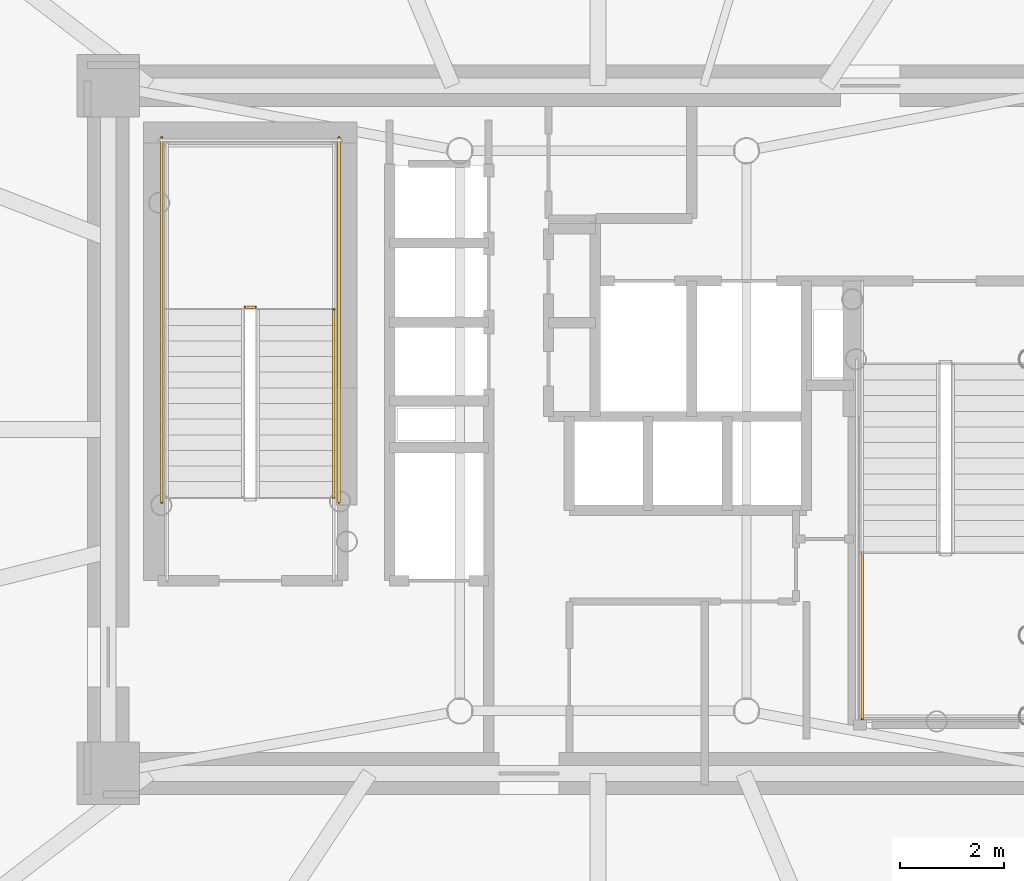
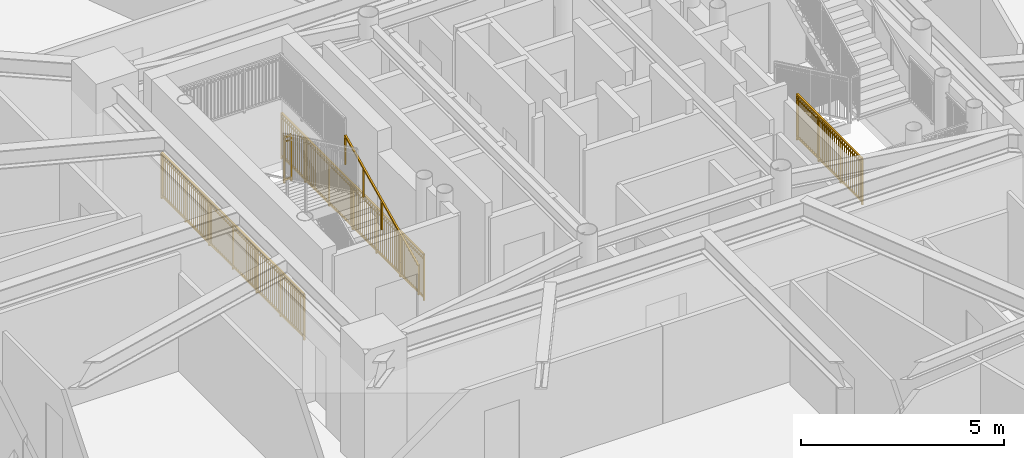
# One storey, part 13 of 18: 5 railings.
"""IFC4 building model written with IfcOpenShell, lengths in metres."""

from ifc_helpers import new_model, si_unit, direction, frame, origin, origin_2d, place, context, subcontext, project, spatial, rectangle, extrude, source, transform, mapped, material, type_object, element, save


model = new_model("IFC4")

# Units and contexts
model_context = context("Model", 3, precision=1e-05, world=origin(), true_north=direction((0.0, 1.0)))
body_context = subcontext(model_context, "Body", "Model", "MODEL_VIEW")
ifc_project = project(units=[si_unit("LENGTHUNIT", "METRE"), si_unit("AREAUNIT", "SQUARE_METRE"), si_unit("VOLUMEUNIT", "CUBIC_METRE"), si_unit("PLANEANGLEUNIT", "RADIAN"), si_unit("MASSUNIT", "GRAM", prefix="KILO")], contexts=[model_context])

# Site, building, storey
site_placement = place(None, origin())
site = spatial("IfcSite", under=ifc_project, at=site_placement, CompositionType="ELEMENT")
building_placement = place(site_placement, origin())
building = spatial("IfcBuilding", under=site, at=building_placement, Name="Linh Dai School and Residence Tower", CompositionType="ELEMENT")
storey_placement = place(building_placement, frame((0.0, 0.0, 186.14990234375)))
storey = spatial("IfcBuildingStorey", under=building, at=storey_placement, Name="L45", CompositionType="ELEMENT", Elevation=186.14990234375)

# Railings
ifc_material_1 = material(Name="Structural Steel S355JR", Category="steel")
railing_type_1 = type_object("IfcRailingType", Name="RL-ST-GUARD-1400", PredefinedType="GUARDRAIL", material=ifc_material_1)
shared_shape_1 = source(origin(), body_context, "Body", "SweptSolid", [
    extrude(rectangle(XDim=0.048095703125, YDim=0.048095703125, at=origin_2d()), frame((0.0, 0.0, 1.3759765625), z_axis=(-1.0, 0.0, 0.0), x_axis=(0.0, -1.0, 0.0)), (0.0, 0.0, 1.0), 0.199951171875),
    extrude(rectangle(XDim=0.048095703125, YDim=0.048095703125, at=origin_2d()), frame((0.0, 0.0, 0.10009765625), z_axis=(-1.0, 0.0, 0.0), x_axis=(0.0, -1.0, 0.0)), (0.0, 0.0, 1.0), 0.199951171875),
    extrude(rectangle(XDim=0.030029296875, YDim=0.030029296875, at=origin_2d()), frame((0.0, 0.0, 1.239990234375), z_axis=(-1.0, 0.0, 0.0), x_axis=(0.0, -1.0, 0.0)), (0.0, 0.0, 1.0), 0.199951171875),
    extrude(rectangle(XDim=0.0419921875, YDim=0.0419921875, at=origin_2d()), origin(), (0.0, 0.0, 1.0), 1.3759765625),
    extrude(rectangle(XDim=0.0419921875, YDim=0.0419921875, at=origin_2d()), frame((-0.199951171875, 0.0, 0.0)), (0.0, 0.0, 1.0), 1.3759765625),
])
railing_1_placement = place(storey_placement, frame((29.429931640625, 29.35009765625, 1.875)))
element("IfcRailing", 1, at=railing_1_placement, inside=storey, type_object=railing_type_1, Name="L45 ST1 stair guard 2", PredefinedType="GUARDRAIL", context=body_context, shape_type="MappedRepresentation", body=[
    mapped(shared_shape_1, transform((0.0, 0.0, 0.0), x_axis=(1.0, 0.0, 0.0), y_axis=(0.0, 1.0, 0.0), z_axis=(0.0, 0.0, 1.0), scale=1.0)),
])
shared_shape_2 = source(origin(), body_context, "Body", "SweptSolid", [
    extrude(rectangle(XDim=0.048095703125, YDim=0.048095703125, at=origin_2d()), frame((0.0, 0.0, 1.3759765625), z_axis=(0.0, 1.0, 0.0), x_axis=(-1.0, 0.0, 0.0)), (0.0, 0.0, 1.0), 7.0),
    extrude(rectangle(XDim=0.048095703125, YDim=0.048095703125, at=origin_2d()), frame((0.0, 0.0, 0.10009765625), z_axis=(0.0, 1.0, 0.0), x_axis=(-1.0, 0.0, 0.0)), (0.0, 0.0, 1.0), 7.0),
    extrude(rectangle(XDim=0.030029296875, YDim=0.030029296875, at=origin_2d()), frame((0.0, 0.0, 1.239990234375), z_axis=(0.0, 1.0, 0.0), x_axis=(-1.0, 0.0, 0.0)), (0.0, 0.0, 1.0), 7.0),
    extrude(rectangle(XDim=0.02001953125, YDim=0.02001953125, at=origin_2d()), frame((0.0, 0.09716796875, 0.10009765625)), (0.0, 0.0, 1.0), 1.251708984375),
    extrude(rectangle(XDim=0.02001953125, YDim=0.02001953125, at=origin_2d()), frame((0.0, 0.1943359375, 0.10009765625)), (0.0, 0.0, 1.0), 1.251708984375),
    extrude(rectangle(XDim=0.02001953125, YDim=0.02001953125, at=origin_2d()), frame((0.0, 0.291748046875, 0.10009765625)), (0.0, 0.0, 1.0), 1.251708984375),
    extrude(rectangle(XDim=0.02001953125, YDim=0.02001953125, at=origin_2d()), frame((0.0, 0.388916015625, 0.10009765625)), (0.0, 0.0, 1.0), 1.251708984375),
    extrude(rectangle(XDim=0.02001953125, YDim=0.02001953125, at=origin_2d()), frame((0.0, 0.486083984375, 0.10009765625)), (0.0, 0.0, 1.0), 1.251708984375),
    extrude(rectangle(XDim=0.02001953125, YDim=0.02001953125, at=origin_2d()), frame((0.0, 0.583251953125, 0.10009765625)), (0.0, 0.0, 1.0), 1.251708984375),
    extrude(rectangle(XDim=0.02001953125, YDim=0.02001953125, at=origin_2d()), frame((0.0, 0.6806640625, 0.10009765625)), (0.0, 0.0, 1.0), 1.251708984375),
    extrude(rectangle(XDim=0.02001953125, YDim=0.02001953125, at=origin_2d()), frame((0.0, 0.77783203125, 0.10009765625)), (0.0, 0.0, 1.0), 1.251708984375),
    extrude(rectangle(XDim=0.02001953125, YDim=0.02001953125, at=origin_2d()), frame((0.0, 0.875, 0.10009765625)), (0.0, 0.0, 1.0), 1.251708984375),
    extrude(rectangle(XDim=0.02001953125, YDim=0.02001953125, at=origin_2d()), frame((0.0, 0.97216796875, 0.10009765625)), (0.0, 0.0, 1.0), 1.251708984375),
    extrude(rectangle(XDim=0.02001953125, YDim=0.02001953125, at=origin_2d()), frame((0.0, 1.0693359375, 0.10009765625)), (0.0, 0.0, 1.0), 1.251708984375),
    extrude(rectangle(XDim=0.02001953125, YDim=0.02001953125, at=origin_2d()), frame((0.0, 1.263916015625, 0.10009765625)), (0.0, 0.0, 1.0), 1.251708984375),
    extrude(rectangle(XDim=0.02001953125, YDim=0.02001953125, at=origin_2d()), frame((0.0, 1.361083984375, 0.10009765625)), (0.0, 0.0, 1.0), 1.251708984375),
    extrude(rectangle(XDim=0.02001953125, YDim=0.02001953125, at=origin_2d()), frame((0.0, 1.458251953125, 0.10009765625)), (0.0, 0.0, 1.0), 1.251708984375),
    extrude(rectangle(XDim=0.02001953125, YDim=0.02001953125, at=origin_2d()), frame((0.0, 1.5556640625, 0.10009765625)), (0.0, 0.0, 1.0), 1.251708984375),
    extrude(rectangle(XDim=0.02001953125, YDim=0.02001953125, at=origin_2d()), frame((0.0, 1.65283203125, 0.10009765625)), (0.0, 0.0, 1.0), 1.251708984375),
    extrude(rectangle(XDim=0.02001953125, YDim=0.02001953125, at=origin_2d()), frame((0.0, 1.75, 0.10009765625)), (0.0, 0.0, 1.0), 1.251708984375),
    extrude(rectangle(XDim=0.02001953125, YDim=0.02001953125, at=origin_2d()), frame((0.0, 1.84716796875, 0.10009765625)), (0.0, 0.0, 1.0), 1.251708984375),
    extrude(rectangle(XDim=0.02001953125, YDim=0.02001953125, at=origin_2d()), frame((0.0, 1.9443359375, 0.10009765625)), (0.0, 0.0, 1.0), 1.251708984375),
    extrude(rectangle(XDim=0.02001953125, YDim=0.02001953125, at=origin_2d()), frame((0.0, 2.041748046875, 0.10009765625)), (0.0, 0.0, 1.0), 1.251708984375),
    extrude(rectangle(XDim=0.02001953125, YDim=0.02001953125, at=origin_2d()), frame((0.0, 2.138916015625, 0.10009765625)), (0.0, 0.0, 1.0), 1.251708984375),
    extrude(rectangle(XDim=0.02001953125, YDim=0.02001953125, at=origin_2d()), frame((0.0, 2.236083984375, 0.10009765625)), (0.0, 0.0, 1.0), 1.251708984375),
    extrude(rectangle(XDim=0.02001953125, YDim=0.02001953125, at=origin_2d()), frame((0.0, 2.4306640625, 0.10009765625)), (0.0, 0.0, 1.0), 1.251708984375),
    extrude(rectangle(XDim=0.02001953125, YDim=0.02001953125, at=origin_2d()), frame((0.0, 2.52783203125, 0.10009765625)), (0.0, 0.0, 1.0), 1.251708984375),
    extrude(rectangle(XDim=0.02001953125, YDim=0.02001953125, at=origin_2d()), frame((0.0, 2.625, 0.10009765625)), (0.0, 0.0, 1.0), 1.251708984375),
    extrude(rectangle(XDim=0.02001953125, YDim=0.02001953125, at=origin_2d()), frame((0.0, 2.72216796875, 0.10009765625)), (0.0, 0.0, 1.0), 1.251708984375),
    extrude(rectangle(XDim=0.02001953125, YDim=0.02001953125, at=origin_2d()), frame((0.0, 2.8193359375, 0.10009765625)), (0.0, 0.0, 1.0), 1.251708984375),
    extrude(rectangle(XDim=0.02001953125, YDim=0.02001953125, at=origin_2d()), frame((0.0, 2.916748046875, 0.10009765625)), (0.0, 0.0, 1.0), 1.251708984375),
    extrude(rectangle(XDim=0.02001953125, YDim=0.02001953125, at=origin_2d()), frame((0.0, 3.013916015625, 0.10009765625)), (0.0, 0.0, 1.0), 1.251708984375),
    extrude(rectangle(XDim=0.02001953125, YDim=0.02001953125, at=origin_2d()), frame((0.0, 3.111083984375, 0.10009765625)), (0.0, 0.0, 1.0), 1.251708984375),
    extrude(rectangle(XDim=0.02001953125, YDim=0.02001953125, at=origin_2d()), frame((0.0, 3.208251953125, 0.10009765625)), (0.0, 0.0, 1.0), 1.251708984375),
    extrude(rectangle(XDim=0.02001953125, YDim=0.02001953125, at=origin_2d()), frame((0.0, 3.3056640625, 0.10009765625)), (0.0, 0.0, 1.0), 1.251708984375),
    extrude(rectangle(XDim=0.02001953125, YDim=0.02001953125, at=origin_2d()), frame((0.0, 3.40283203125, 0.10009765625)), (0.0, 0.0, 1.0), 1.251708984375),
    extrude(rectangle(XDim=0.02001953125, YDim=0.02001953125, at=origin_2d()), frame((0.0, 3.59716796875, 0.10009765625)), (0.0, 0.0, 1.0), 1.251708984375),
    extrude(rectangle(XDim=0.02001953125, YDim=0.02001953125, at=origin_2d()), frame((0.0, 3.6943359375, 0.10009765625)), (0.0, 0.0, 1.0), 1.251708984375),
    extrude(rectangle(XDim=0.02001953125, YDim=0.02001953125, at=origin_2d()), frame((0.0, 3.791748046875, 0.10009765625)), (0.0, 0.0, 1.0), 1.251708984375),
    extrude(rectangle(XDim=0.02001953125, YDim=0.02001953125, at=origin_2d()), frame((0.0, 3.888916015625, 0.10009765625)), (0.0, 0.0, 1.0), 1.251708984375),
    extrude(rectangle(XDim=0.02001953125, YDim=0.02001953125, at=origin_2d()), frame((0.0, 3.986083984375, 0.10009765625)), (0.0, 0.0, 1.0), 1.251708984375),
    extrude(rectangle(XDim=0.02001953125, YDim=0.02001953125, at=origin_2d()), frame((0.0, 4.083251953125, 0.10009765625)), (0.0, 0.0, 1.0), 1.251708984375),
    extrude(rectangle(XDim=0.02001953125, YDim=0.02001953125, at=origin_2d()), frame((0.0, 4.1806640625, 0.10009765625)), (0.0, 0.0, 1.0), 1.251708984375),
    extrude(rectangle(XDim=0.02001953125, YDim=0.02001953125, at=origin_2d()), frame((0.0, 4.27783203125, 0.10009765625)), (0.0, 0.0, 1.0), 1.251708984375),
    extrude(rectangle(XDim=0.02001953125, YDim=0.02001953125, at=origin_2d()), frame((0.0, 4.375, 0.10009765625)), (0.0, 0.0, 1.0), 1.251708984375),
    extrude(rectangle(XDim=0.02001953125, YDim=0.02001953125, at=origin_2d()), frame((0.0, 4.47216796875, 0.10009765625)), (0.0, 0.0, 1.0), 1.251708984375),
    extrude(rectangle(XDim=0.02001953125, YDim=0.02001953125, at=origin_2d()), frame((0.0, 4.5693359375, 0.10009765625)), (0.0, 0.0, 1.0), 1.251708984375),
    extrude(rectangle(XDim=0.02001953125, YDim=0.02001953125, at=origin_2d()), frame((0.0, 4.763916015625, 0.10009765625)), (0.0, 0.0, 1.0), 1.251708984375),
    extrude(rectangle(XDim=0.02001953125, YDim=0.02001953125, at=origin_2d()), frame((0.0, 4.861083984375, 0.10009765625)), (0.0, 0.0, 1.0), 1.251708984375),
    extrude(rectangle(XDim=0.02001953125, YDim=0.02001953125, at=origin_2d()), frame((0.0, 4.958251953125, 0.10009765625)), (0.0, 0.0, 1.0), 1.251708984375),
    extrude(rectangle(XDim=0.02001953125, YDim=0.02001953125, at=origin_2d()), frame((0.0, 5.0556640625, 0.10009765625)), (0.0, 0.0, 1.0), 1.251708984375),
    extrude(rectangle(XDim=0.02001953125, YDim=0.02001953125, at=origin_2d()), frame((0.0, 5.15283203125, 0.10009765625)), (0.0, 0.0, 1.0), 1.251708984375),
    extrude(rectangle(XDim=0.02001953125, YDim=0.02001953125, at=origin_2d()), frame((0.0, 5.25, 0.10009765625)), (0.0, 0.0, 1.0), 1.251708984375),
    extrude(rectangle(XDim=0.02001953125, YDim=0.02001953125, at=origin_2d()), frame((0.0, 5.34716796875, 0.10009765625)), (0.0, 0.0, 1.0), 1.251708984375),
    extrude(rectangle(XDim=0.02001953125, YDim=0.02001953125, at=origin_2d()), frame((0.0, 5.4443359375, 0.10009765625)), (0.0, 0.0, 1.0), 1.251708984375),
    extrude(rectangle(XDim=0.02001953125, YDim=0.02001953125, at=origin_2d()), frame((0.0, 5.541748046875, 0.10009765625)), (0.0, 0.0, 1.0), 1.251708984375),
    extrude(rectangle(XDim=0.02001953125, YDim=0.02001953125, at=origin_2d()), frame((0.0, 5.638916015625, 0.10009765625)), (0.0, 0.0, 1.0), 1.251708984375),
    extrude(rectangle(XDim=0.02001953125, YDim=0.02001953125, at=origin_2d()), frame((0.0, 5.736083984375, 0.10009765625)), (0.0, 0.0, 1.0), 1.251708984375),
    extrude(rectangle(XDim=0.02001953125, YDim=0.02001953125, at=origin_2d()), frame((0.0, 5.9306640625, 0.10009765625)), (0.0, 0.0, 1.0), 1.251708984375),
    extrude(rectangle(XDim=0.02001953125, YDim=0.02001953125, at=origin_2d()), frame((0.0, 6.02783203125, 0.10009765625)), (0.0, 0.0, 1.0), 1.251708984375),
    extrude(rectangle(XDim=0.02001953125, YDim=0.02001953125, at=origin_2d()), frame((0.0, 6.125, 0.10009765625)), (0.0, 0.0, 1.0), 1.251708984375),
    extrude(rectangle(XDim=0.02001953125, YDim=0.02001953125, at=origin_2d()), frame((0.0, 6.22216796875, 0.10009765625)), (0.0, 0.0, 1.0), 1.251708984375),
    extrude(rectangle(XDim=0.02001953125, YDim=0.02001953125, at=origin_2d()), frame((0.0, 6.3193359375, 0.10009765625)), (0.0, 0.0, 1.0), 1.251708984375),
    extrude(rectangle(XDim=0.02001953125, YDim=0.02001953125, at=origin_2d()), frame((0.0, 6.416748046875, 0.10009765625)), (0.0, 0.0, 1.0), 1.251708984375),
    extrude(rectangle(XDim=0.02001953125, YDim=0.02001953125, at=origin_2d()), frame((0.0, 6.513916015625, 0.10009765625)), (0.0, 0.0, 1.0), 1.251708984375),
    extrude(rectangle(XDim=0.02001953125, YDim=0.02001953125, at=origin_2d()), frame((0.0, 6.611083984375, 0.10009765625)), (0.0, 0.0, 1.0), 1.251708984375),
    extrude(rectangle(XDim=0.02001953125, YDim=0.02001953125, at=origin_2d()), frame((0.0, 6.708251953125, 0.10009765625)), (0.0, 0.0, 1.0), 1.251708984375),
    extrude(rectangle(XDim=0.02001953125, YDim=0.02001953125, at=origin_2d()), frame((0.0, 6.8056640625, 0.10009765625)), (0.0, 0.0, 1.0), 1.251708984375),
    extrude(rectangle(XDim=0.02001953125, YDim=0.02001953125, at=origin_2d()), frame((0.0, 6.90283203125, 0.10009765625)), (0.0, 0.0, 1.0), 1.251708984375),
    extrude(rectangle(XDim=0.0419921875, YDim=0.0419921875, at=origin_2d()), origin(), (0.0, 0.0, 1.0), 1.3759765625),
    extrude(rectangle(XDim=0.0419921875, YDim=0.0419921875, at=origin_2d()), frame((0.0, 1.166748046875, 0.0)), (0.0, 0.0, 1.0), 1.3759765625),
    extrude(rectangle(XDim=0.0419921875, YDim=0.0419921875, at=origin_2d()), frame((0.0, 2.333251953125, 0.0)), (0.0, 0.0, 1.0), 1.3759765625),
    extrude(rectangle(XDim=0.0419921875, YDim=0.0419921875, at=origin_2d()), frame((0.0, 3.5, 0.0)), (0.0, 0.0, 1.0), 1.3759765625),
    extrude(rectangle(XDim=0.0419921875, YDim=0.0419921875, at=origin_2d()), frame((0.0, 4.666748046875, 0.0)), (0.0, 0.0, 1.0), 1.3759765625),
    extrude(rectangle(XDim=0.0419921875, YDim=0.0419921875, at=origin_2d()), frame((0.0, 5.833251953125, 0.0)), (0.0, 0.0, 1.0), 1.3759765625),
    extrude(rectangle(XDim=0.0419921875, YDim=0.0419921875, at=origin_2d()), frame((0.0, 7.0, 0.0)), (0.0, 0.0, 1.0), 1.3759765625),
])
for number, where, name in (
    (2, (31.030029296875, 25.60009765625, 0.0), "L45 ST1 stair guard 10"),
    (3, (27.6298828125, 25.60009765625, 0.0), "L45 ST1 stair guard 11"),
):
    element("IfcRailing", number, at=place(storey_placement, frame(where)), inside=storey, type_object=railing_type_1, Name=name, PredefinedType="GUARDRAIL", context=body_context, shape_type="MappedRepresentation", body=[
        mapped(shared_shape_2, transform((0.0, 0.0, 0.0), x_axis=(1.0, 0.0, 0.0), y_axis=(0.0, 1.0, 0.0), z_axis=(0.0, 0.0, 1.0), scale=1.0)),
    ])
ifc_material_2 = material(Name="Brushed Stainless Steel Handrail", Category="steel")
railing_type_2 = type_object("IfcRailingType", Name="RL-ST-HANDRAIL-900", PredefinedType="HANDRAIL", material=ifc_material_2)
shared_shape_3 = source(origin(), body_context, "Body", "SweptSolid", [
    extrude(rectangle(XDim=0.048095703125, YDim=0.048095703125, at=origin_2d()), frame((0.0, 0.0, 0.8759765625), z_axis=(0.0, 0.901262522062, 0.433273431364), x_axis=(-1.0, 0.0, 0.0)), (0.0, 0.0, 1.0), 3.994384765625),
    extrude(rectangle(XDim=0.0419921875, YDim=0.0419921875, at=origin_2d()), origin(), (0.0, 0.0, 1.0), 0.8759765625),
    extrude(rectangle(XDim=0.0419921875, YDim=0.0419921875, at=origin_2d()), frame((0.0, 0.89990234375, 0.4326171875)), (0.0, 0.0, 1.0), 0.8759765625),
    extrude(rectangle(XDim=0.0419921875, YDim=0.0419921875, at=origin_2d()), frame((0.0, 1.800048828125, 0.865234375)), (0.0, 0.0, 1.0), 0.8759765625),
    extrude(rectangle(XDim=0.0419921875, YDim=0.0419921875, at=origin_2d()), frame((0.0, 2.7001953125, 1.298095703125)), (0.0, 0.0, 1.0), 0.8759765625),
    extrude(rectangle(XDim=0.0419921875, YDim=0.0419921875, at=origin_2d()), frame((0.0, 3.60009765625, 1.730712890625)), (0.0, 0.0, 1.0), 0.8759765625),
])
railing_2_placement = place(storey_placement, frame((30.929931640625, 25.699951171875, 0.144287109375)))
element("IfcRailing", 4, at=railing_2_placement, inside=storey, type_object=railing_type_2, Name="L45 ST1 stair handrail 1", PredefinedType="HANDRAIL", context=body_context, shape_type="MappedRepresentation", body=[
    mapped(shared_shape_3, transform((0.0, 0.0, 0.0), x_axis=(1.0, 0.0, 0.0), y_axis=(0.0, 1.0, 0.0), z_axis=(0.0, 0.0, 1.0), scale=1.0)),
])
shared_shape_4 = source(origin(), body_context, "Body", "SweptSolid", [
    extrude(rectangle(XDim=0.048095703125, YDim=0.048095703125, at=origin_2d()), frame((0.0, 0.0, 1.3759765625), z_axis=(0.0, -1.0, 0.0), x_axis=(1.0, 0.0, 0.0)), (0.0, 0.0, 1.0), 3.199951171875),
    extrude(rectangle(XDim=0.048095703125, YDim=0.048095703125, at=origin_2d()), frame((0.0, 0.0, 0.10009765625), z_axis=(0.0, -1.0, 0.0), x_axis=(1.0, 0.0, 0.0)), (0.0, 0.0, 1.0), 3.199951171875),
    extrude(rectangle(XDim=0.030029296875, YDim=0.030029296875, at=origin_2d()), frame((0.0, 0.0, 1.239990234375), z_axis=(0.0, -1.0, 0.0), x_axis=(1.0, 0.0, 0.0)), (0.0, 0.0, 1.0), 3.199951171875),
    extrude(rectangle(XDim=0.02001953125, YDim=0.02001953125, at=origin_2d()), frame((0.0, -0.096923828125, 0.10009765625)), (0.0, 0.0, 1.0), 1.251708984375),
    extrude(rectangle(XDim=0.02001953125, YDim=0.02001953125, at=origin_2d()), frame((0.0, -0.19384765625, 0.10009765625)), (0.0, 0.0, 1.0), 1.251708984375),
    extrude(rectangle(XDim=0.02001953125, YDim=0.02001953125, at=origin_2d()), frame((0.0, -0.291015625, 0.10009765625)), (0.0, 0.0, 1.0), 1.251708984375),
    extrude(rectangle(XDim=0.02001953125, YDim=0.02001953125, at=origin_2d()), frame((0.0, -0.387939453125, 0.10009765625)), (0.0, 0.0, 1.0), 1.251708984375),
    extrude(rectangle(XDim=0.02001953125, YDim=0.02001953125, at=origin_2d()), frame((0.0, -0.48486328125, 0.10009765625)), (0.0, 0.0, 1.0), 1.251708984375),
    extrude(rectangle(XDim=0.02001953125, YDim=0.02001953125, at=origin_2d()), frame((0.0, -0.581787109375, 0.10009765625)), (0.0, 0.0, 1.0), 1.251708984375),
    extrude(rectangle(XDim=0.02001953125, YDim=0.02001953125, at=origin_2d()), frame((0.0, -0.6787109375, 0.10009765625)), (0.0, 0.0, 1.0), 1.251708984375),
    extrude(rectangle(XDim=0.02001953125, YDim=0.02001953125, at=origin_2d()), frame((0.0, -0.775634765625, 0.10009765625)), (0.0, 0.0, 1.0), 1.251708984375),
    extrude(rectangle(XDim=0.02001953125, YDim=0.02001953125, at=origin_2d()), frame((0.0, -0.872802734375, 0.10009765625)), (0.0, 0.0, 1.0), 1.251708984375),
    extrude(rectangle(XDim=0.02001953125, YDim=0.02001953125, at=origin_2d()), frame((0.0, -0.9697265625, 0.10009765625)), (0.0, 0.0, 1.0), 1.251708984375),
    extrude(rectangle(XDim=0.02001953125, YDim=0.02001953125, at=origin_2d()), frame((0.0, -1.16357421875, 0.10009765625)), (0.0, 0.0, 1.0), 1.251708984375),
    extrude(rectangle(XDim=0.02001953125, YDim=0.02001953125, at=origin_2d()), frame((0.0, -1.260498046875, 0.10009765625)), (0.0, 0.0, 1.0), 1.251708984375),
    extrude(rectangle(XDim=0.02001953125, YDim=0.02001953125, at=origin_2d()), frame((0.0, -1.357666015625, 0.10009765625)), (0.0, 0.0, 1.0), 1.251708984375),
    extrude(rectangle(XDim=0.02001953125, YDim=0.02001953125, at=origin_2d()), frame((0.0, -1.45458984375, 0.10009765625)), (0.0, 0.0, 1.0), 1.251708984375),
    extrude(rectangle(XDim=0.02001953125, YDim=0.02001953125, at=origin_2d()), frame((0.0, -1.551513671875, 0.10009765625)), (0.0, 0.0, 1.0), 1.251708984375),
    extrude(rectangle(XDim=0.02001953125, YDim=0.02001953125, at=origin_2d()), frame((0.0, -1.6484375, 0.10009765625)), (0.0, 0.0, 1.0), 1.251708984375),
    extrude(rectangle(XDim=0.02001953125, YDim=0.02001953125, at=origin_2d()), frame((0.0, -1.745361328125, 0.10009765625)), (0.0, 0.0, 1.0), 1.251708984375),
    extrude(rectangle(XDim=0.02001953125, YDim=0.02001953125, at=origin_2d()), frame((0.0, -1.84228515625, 0.10009765625)), (0.0, 0.0, 1.0), 1.251708984375),
    extrude(rectangle(XDim=0.02001953125, YDim=0.02001953125, at=origin_2d()), frame((0.0, -1.939453125, 0.10009765625)), (0.0, 0.0, 1.0), 1.251708984375),
    extrude(rectangle(XDim=0.02001953125, YDim=0.02001953125, at=origin_2d()), frame((0.0, -2.036376953125, 0.10009765625)), (0.0, 0.0, 1.0), 1.251708984375),
    extrude(rectangle(XDim=0.02001953125, YDim=0.02001953125, at=origin_2d()), frame((0.0, -2.230224609375, 0.10009765625)), (0.0, 0.0, 1.0), 1.251708984375),
    extrude(rectangle(XDim=0.02001953125, YDim=0.02001953125, at=origin_2d()), frame((0.0, -2.3271484375, 0.10009765625)), (0.0, 0.0, 1.0), 1.251708984375),
    extrude(rectangle(XDim=0.02001953125, YDim=0.02001953125, at=origin_2d()), frame((0.0, -2.42431640625, 0.10009765625)), (0.0, 0.0, 1.0), 1.251708984375),
    extrude(rectangle(XDim=0.02001953125, YDim=0.02001953125, at=origin_2d()), frame((0.0, -2.521240234375, 0.10009765625)), (0.0, 0.0, 1.0), 1.251708984375),
    extrude(rectangle(XDim=0.02001953125, YDim=0.02001953125, at=origin_2d()), frame((0.0, -2.6181640625, 0.10009765625)), (0.0, 0.0, 1.0), 1.251708984375),
    extrude(rectangle(XDim=0.02001953125, YDim=0.02001953125, at=origin_2d()), frame((0.0, -2.715087890625, 0.10009765625)), (0.0, 0.0, 1.0), 1.251708984375),
    extrude(rectangle(XDim=0.02001953125, YDim=0.02001953125, at=origin_2d()), frame((0.0, -2.81201171875, 0.10009765625)), (0.0, 0.0, 1.0), 1.251708984375),
    extrude(rectangle(XDim=0.02001953125, YDim=0.02001953125, at=origin_2d()), frame((0.0, -2.908935546875, 0.10009765625)), (0.0, 0.0, 1.0), 1.251708984375),
    extrude(rectangle(XDim=0.02001953125, YDim=0.02001953125, at=origin_2d()), frame((0.0, -3.006103515625, 0.10009765625)), (0.0, 0.0, 1.0), 1.251708984375),
    extrude(rectangle(XDim=0.02001953125, YDim=0.02001953125, at=origin_2d()), frame((0.0, -3.10302734375, 0.10009765625)), (0.0, 0.0, 1.0), 1.251708984375),
    extrude(rectangle(XDim=0.0419921875, YDim=0.0419921875, at=origin_2d()), origin(), (0.0, 0.0, 1.0), 1.3759765625),
    extrude(rectangle(XDim=0.0419921875, YDim=0.0419921875, at=origin_2d()), frame((0.0, -1.066650390625, 0.0)), (0.0, 0.0, 1.0), 1.3759765625),
    extrude(rectangle(XDim=0.0419921875, YDim=0.0419921875, at=origin_2d()), frame((0.0, -2.13330078125, 0.0)), (0.0, 0.0, 1.0), 1.3759765625),
    extrude(rectangle(XDim=0.0419921875, YDim=0.0419921875, at=origin_2d()), frame((0.0, -3.199951171875, 0.0)), (0.0, 0.0, 1.0), 1.3759765625),
])
railing_3_placement = place(storey_placement, frame((41.070068359375, 24.64990234375, 1.875)))
element("IfcRailing", 5, at=railing_3_placement, inside=storey, type_object=railing_type_1, Name="L45 ST2 stair guard 3", PredefinedType="GUARDRAIL", context=body_context, shape_type="MappedRepresentation", body=[
    mapped(shared_shape_4, transform((0.0, 0.0, 0.0), x_axis=(1.0, 0.0, 0.0), y_axis=(0.0, 1.0, 0.0), z_axis=(0.0, 0.0, 1.0), scale=1.0)),
])

save(model, "model.ifc")
